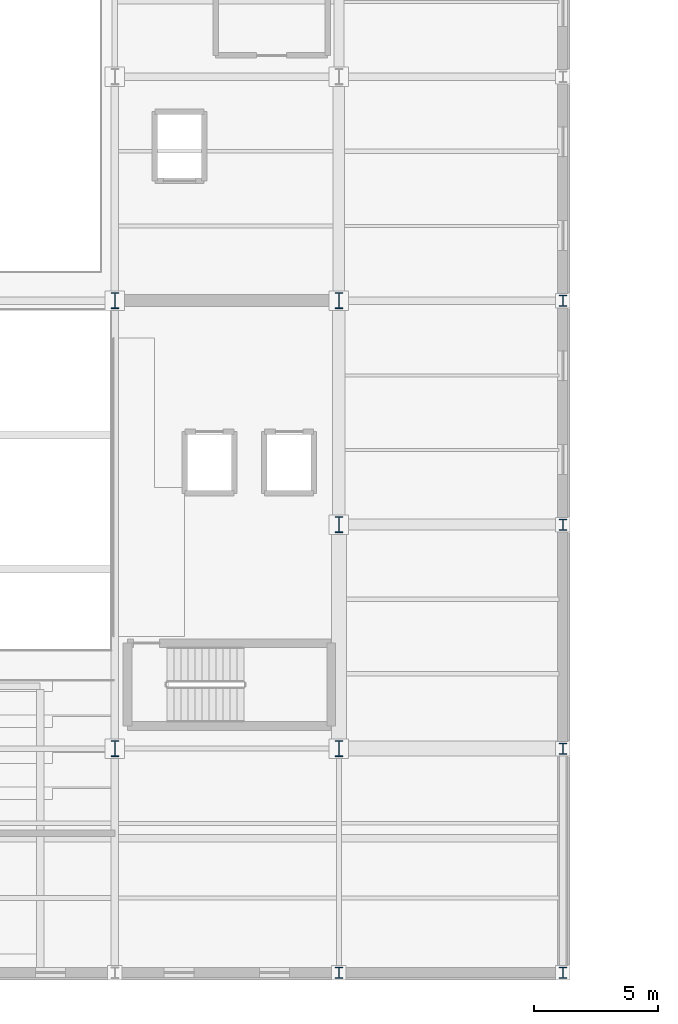
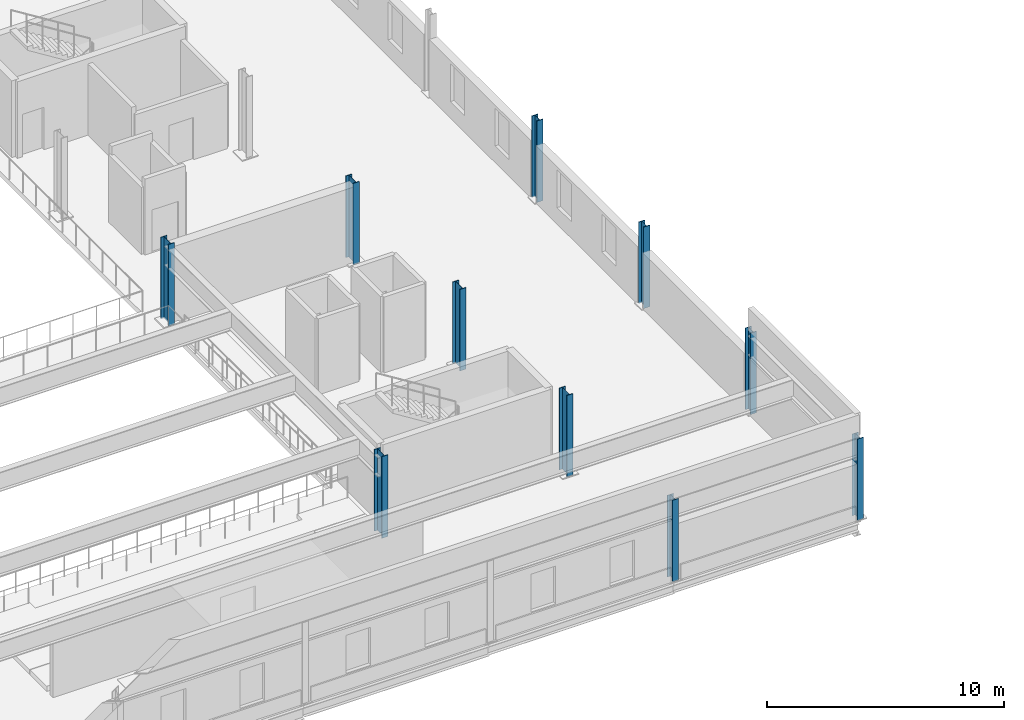
# One storey, part 2 of 17: 10 columns.
"""IFC4 building model written with IfcOpenShell, lengths in metres."""

from ifc_helpers import new_model, si_unit, direction, frame, origin, origin_2d, place, context, subcontext, project, spatial, i_section, extrude, material, material_profile, profile_set, type_object, element, save


model = new_model("IFC4")

# Units and contexts
model_context = context("Model", 3, precision=1e-05, world=origin(), true_north=direction((0.0, 1.0)))
body_context = subcontext(model_context, "Body", "Model", "MODEL_VIEW")
ifc_project = project(units=[si_unit("LENGTHUNIT", "METRE"), si_unit("AREAUNIT", "SQUARE_METRE"), si_unit("VOLUMEUNIT", "CUBIC_METRE"), si_unit("PLANEANGLEUNIT", "RADIAN"), si_unit("MASSUNIT", "GRAM", prefix="KILO")], contexts=[model_context])

# Site, building, storey
site_placement = place(None, origin())
site = spatial("IfcSite", under=ifc_project, at=site_placement, CompositionType="ELEMENT")
building_placement = place(site_placement, origin())
building = spatial("IfcBuilding", under=site, at=building_placement, Name="Sundgate Opera House", CompositionType="ELEMENT")
storey_placement = place(building_placement, frame((0.0, 0.0, 26.39990234375)))
storey = spatial("IfcBuildingStorey", under=building, at=storey_placement, Name="L05", CompositionType="ELEMENT", Elevation=26.39990234375)

# Columns
ifc_material_1 = material(Name="Steel S355J2", Category="steel")
ifc_material_profile_1 = material_profile(ifc_material_1, i_section(OverallWidth=0.300048828125, OverallDepth=0.449951171875, WebThickness=0.013916015625, FlangeThickness=0.02587890625, at=origin_2d()), Name="HEB 450")
ifc_profile_set_1 = profile_set([ifc_material_profile_1], Name="Steel S355J2")
column_type_1 = type_object("IfcColumnType", Name="CL-STL-450", PredefinedType="COLUMN", material=ifc_profile_set_1)
for number, where, z_axis, x_axis, name in (
    (1, (72.0, 33.0, 0.0), (0.0, 0.0, 1.0), (1.0, 0.0, 0.0), "L05 Column C0460"),
    (2, (81.0, 33.0, 0.0), (0.0, 0.0, 1.0), (1.0, 0.0, 0.0), "L05 Column C0533"),
    (3, (81.0, 42.0, 0.0), (0.0, 0.0, 1.0), (1.0, 0.0, 0.0), "L05 Column C0538"),
    (4, (81.0, 51.0, 0.0), (0.0, 0.0, 1.0), (1.0, 0.0, 0.0), "L05 Column C0543"),
    (5, (81.0, 60.0, 0.0), (0.0, 0.0, 1.0), (1.0, 0.0, 0.0), "L05 Column C0548"),
):
    element("IfcColumn", number, at=place(storey_placement, frame(where, z_axis=z_axis, x_axis=x_axis)), inside=storey, type_object=column_type_1, Name=name, PredefinedType="COLUMN", context=body_context, shape_type="SweptSolid", body=[
        extrude(i_section(OverallWidth=0.300048828125, OverallDepth=0.449951171875, WebThickness=0.013916015625, FlangeThickness=0.02587890625, at=origin_2d()), origin(), (0.0, 0.0, 1.0), 4.2001953125),
    ])
ifc_material_2 = material(Name="Steel S355J2", Category="steel")
ifc_material_profile_2 = material_profile(ifc_material_2, i_section(OverallWidth=0.300048828125, OverallDepth=0.64990234375, WebThickness=0.01611328125, FlangeThickness=0.031005859375, at=origin_2d()), Name="HEB 650")
ifc_profile_set_2 = profile_set([ifc_material_profile_2], Name="Steel S355J2")
column_type_2 = type_object("IfcColumnType", Name="CL-STL-650", PredefinedType="COLUMN", material=ifc_profile_set_2)
for number, where, z_axis, x_axis, name in (
    (6, (63.0, 42.0, 0.0), (0.0, 0.0, 1.0), (1.0, 0.0, 0.0), "L05 Column C0406"),
    (7, (63.0, 60.0, 0.0), (0.0, 0.0, 1.0), (1.0, 0.0, 0.0), "L05 Column C0414"),
    (8, (72.0, 42.0, 0.0), (0.0, 0.0, 1.0), (1.0, 0.0, 0.0), "L05 Column C0467"),
    (9, (72.0, 51.0, 0.0), (0.0, 0.0, 1.0), (1.0, 0.0, 0.0), "L05 Column C0474"),
    (10, (72.0, 60.0, 0.0), (0.0, 0.0, 1.0), (1.0, 0.0, 0.0), "L05 Column C0481"),
):
    element("IfcColumn", number, at=place(storey_placement, frame(where, z_axis=z_axis, x_axis=x_axis)), inside=storey, type_object=column_type_2, Name=name, PredefinedType="COLUMN", context=body_context, shape_type="SweptSolid", body=[
        extrude(i_section(OverallWidth=0.300048828125, OverallDepth=0.64990234375, WebThickness=0.01611328125, FlangeThickness=0.031005859375, at=origin_2d()), origin(), (0.0, 0.0, 1.0), 4.2001953125),
    ])

save(model, "model.ifc")
